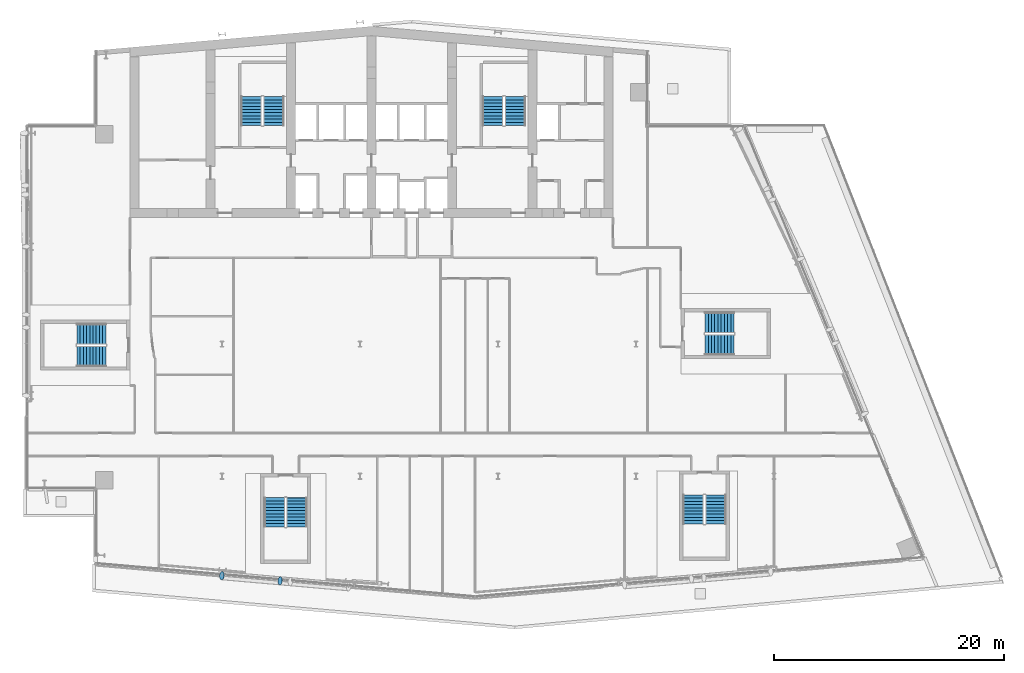
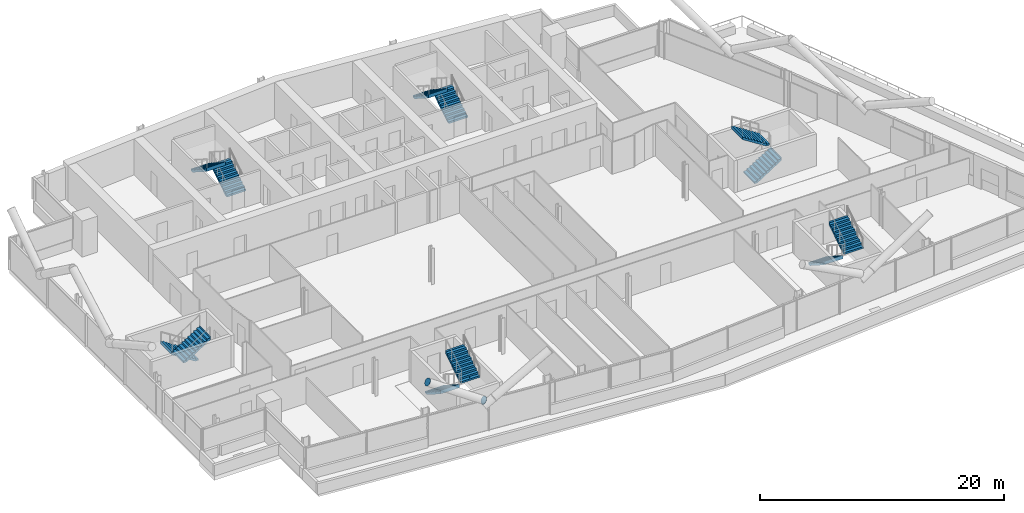
# One storey, part 23 of 30: 12 stair flights, 2 discrete accessories, 6 elements without a shape of their own.
"""IFC4 building model written with IfcOpenShell, lengths in metres."""

from ifc_helpers import new_model, si_unit, direction, frame, origin, origin_2d, place, context, subcontext, project, spatial, polyline, circle, outline, extrude, material, material_profile, profile_set, type_object, element, aggregate, save


model = new_model("IFC4")

# Units and contexts
model_context = context("Model", 3, precision=1e-05, world=origin(), true_north=direction((0.0, 1.0)))
body_context = subcontext(model_context, "Body", "Model", "MODEL_VIEW")
ifc_project = project(units=[si_unit("LENGTHUNIT", "METRE"), si_unit("AREAUNIT", "SQUARE_METRE"), si_unit("VOLUMEUNIT", "CUBIC_METRE"), si_unit("PLANEANGLEUNIT", "RADIAN"), si_unit("MASSUNIT", "GRAM", prefix="KILO")], contexts=[model_context])

# Site, building, storey
site_placement = place(None, origin())
site = spatial("IfcSite", under=ifc_project, at=site_placement, CompositionType="ELEMENT")
building_placement = place(site_placement, origin())
building = spatial("IfcBuilding", under=site, at=building_placement, Name="Wharfspan Tower", CompositionType="ELEMENT")
storey_placement = place(building_placement, frame((0.0, 0.0, 151.899902)))
storey = spatial("IfcBuildingStorey", under=building, at=storey_placement, Name="L36", CompositionType="ELEMENT", Elevation=151.899902)

# Stair, stair flights
ifc_material_1 = material(Name="Concrete C40/50", Category="concrete")
stair_type = type_object("IfcStairType", Name="Half-turn stair 20 risers 180 mm", PredefinedType="HALF_TURN_STAIR", material=ifc_material_1)
stair_1_placement = place(storey_placement, origin())
stair_1 = element("IfcStair", 1, at=stair_1_placement, inside=storey, type_object=stair_type, Name="L36 stair ST1", PredefinedType="HALF_TURN_STAIR")
stair_flight_type = type_object("IfcStairFlightType", Name="Stair flight 20 risers 180 mm", PredefinedType="STRAIGHT", material=ifc_material_1)
stair_flight_1_placement = place(storey_placement, frame((28.5, 42.0, 0.0), z_axis=(0.0, 0.0, 1.0), x_axis=(0.0, 1.0, 0.0)))
stair_flight_1 = element("IfcStairFlight", 2, at=stair_flight_1_placement, type_object=stair_flight_type, Name="ST1 flight 1", NumberOfRisers=10, NumberOfTreads=9, PredefinedType="STRAIGHT", RiserHeight=0.18, TreadLength=0.28, context=body_context, shape_type="SweptSolid", body=[
    extrude(outline(polyline([(-0.011963, 0.0), (-0.011963, 0.179932), (0.0, 0.179932), (0.280029, 0.179932), (0.280029, 0.360107), (0.560059, 0.360107), (0.560059, 0.540039), (0.840088, 0.540039), (0.840088, 0.719971), (1.120117, 0.719971), (1.120117, 0.899902), (1.399902, 0.899902), (1.399902, 1.080078), (1.679932, 1.080078), (1.679932, 1.26001), (1.959961, 1.26001), (1.959961, 1.439941), (2.23999, 1.439941), (2.23999, 1.620117), (2.52002, 1.620117), (2.531982, 1.800049), (2.531982, 1.441895), (0.2771, 0.0), (-0.011963, 0.0)])), frame((0.0, 0.899902, 0.0), z_axis=(0.0, -1.0, 0.0), x_axis=(1.0, 0.0, 0.0)), (0.0, 0.0, 1.0), 0.899414),
    extrude(outline(polyline([(-0.011963, 0.0), (-0.011963, 0.179932), (0.0, 0.179932), (0.280029, 0.179932), (0.280029, 0.360107), (0.560059, 0.360107), (0.560059, 0.540039), (0.840088, 0.540039), (0.840088, 0.719971), (1.120117, 0.719971), (1.120117, 0.899902), (1.399902, 0.899902), (1.399902, 1.080078), (1.679932, 1.080078), (1.679932, 1.26001), (1.959961, 1.26001), (1.959961, 1.439941), (2.23999, 1.439941), (2.23999, 1.620117), (2.52002, 1.620117), (2.531982, 1.800049), (2.531982, 1.441895), (0.2771, 0.0), (-0.011963, 0.0)])), frame((0.0, -0.000488, 0.0), z_axis=(0.0, -1.0, 0.0), x_axis=(1.0, 0.0, 0.0)), (0.0, 0.0, 1.0), 0.899414),
])
stair_flight_2_placement = place(storey_placement, frame((26.550049, 44.52002, 1.800049), z_axis=(0.0, 0.0, 1.0), x_axis=(0.0, -1.0, 0.0)))
stair_flight_2 = element("IfcStairFlight", 3, at=stair_flight_2_placement, type_object=stair_flight_type, Name="ST1 flight 2", NumberOfRisers=10, NumberOfTreads=9, PredefinedType="STRAIGHT", RiserHeight=0.18, TreadLength=0.28, context=body_context, shape_type="SweptSolid", body=[
    extrude(outline(polyline([(-0.011963, 0.0), (-0.011963, 0.179932), (0.0, 0.179932), (0.280029, 0.179932), (0.280029, 0.360107), (0.560059, 0.360107), (0.560059, 0.540039), (0.840088, 0.540039), (0.840088, 0.719971), (1.120117, 0.719971), (1.120117, 0.899902), (1.399902, 0.899902), (1.399902, 1.080078), (1.679932, 1.080078), (1.679932, 1.26001), (1.959961, 1.26001), (1.959961, 1.439941), (2.23999, 1.439941), (2.23999, 1.620117), (2.52002, 1.620117), (2.531982, 1.800049), (2.531982, 1.441895), (0.2771, 0.0), (-0.011963, 0.0)])), frame((0.0, 0.899902, 0.0), z_axis=(0.0, -1.0, 0.0), x_axis=(1.0, 0.0, 0.0)), (0.0, 0.0, 1.0), 0.899414),
    extrude(outline(polyline([(-0.011963, 0.0), (-0.011963, 0.179932), (0.0, 0.179932), (0.280029, 0.179932), (0.280029, 0.360107), (0.560059, 0.360107), (0.560059, 0.540039), (0.840088, 0.540039), (0.840088, 0.719971), (1.120117, 0.719971), (1.120117, 0.899902), (1.399902, 0.899902), (1.399902, 1.080078), (1.679932, 1.080078), (1.679932, 1.26001), (1.959961, 1.26001), (1.959961, 1.439941), (2.23999, 1.439941), (2.23999, 1.620117), (2.52002, 1.620117), (2.531982, 1.800049), (2.531982, 1.441895), (0.2771, 0.0), (-0.011963, 0.0)])), frame((0.0, -0.000488, 0.0), z_axis=(0.0, -1.0, 0.0), x_axis=(1.0, 0.0, 0.0)), (0.0, 0.0, 1.0), 0.899414),
])
aggregate(stair_1, [stair_flight_1, stair_flight_2])

stair_2_placement = place(storey_placement, origin())
stair_2 = element("IfcStair", 4, at=stair_2_placement, inside=storey, type_object=stair_type, Name="L36 stair ST2", PredefinedType="HALF_TURN_STAIR")
stair_flight_3_placement = place(storey_placement, frame((49.5, 42.0, 0.0), z_axis=(0.0, 0.0, 1.0), x_axis=(0.0, 1.0, 0.0)))
stair_flight_3 = element("IfcStairFlight", 5, at=stair_flight_3_placement, type_object=stair_flight_type, Name="ST2 flight 1", NumberOfRisers=10, NumberOfTreads=9, PredefinedType="STRAIGHT", RiserHeight=0.18, TreadLength=0.28, context=body_context, shape_type="SweptSolid", body=[
    extrude(outline(polyline([(-0.011963, 0.0), (-0.011963, 0.179932), (0.0, 0.179932), (0.280029, 0.179932), (0.280029, 0.360107), (0.560059, 0.360107), (0.560059, 0.540039), (0.840088, 0.540039), (0.840088, 0.719971), (1.120117, 0.719971), (1.120117, 0.899902), (1.399902, 0.899902), (1.399902, 1.080078), (1.679932, 1.080078), (1.679932, 1.26001), (1.959961, 1.26001), (1.959961, 1.439941), (2.23999, 1.439941), (2.23999, 1.620117), (2.52002, 1.620117), (2.531982, 1.800049), (2.531982, 1.441895), (0.2771, 0.0), (-0.011963, 0.0)])), frame((0.0, 0.899902, 0.0), z_axis=(0.0, -1.0, 0.0), x_axis=(1.0, 0.0, 0.0)), (0.0, 0.0, 1.0), 0.899414),
    extrude(outline(polyline([(-0.011963, 0.0), (-0.011963, 0.179932), (0.0, 0.179932), (0.280029, 0.179932), (0.280029, 0.360107), (0.560059, 0.360107), (0.560059, 0.540039), (0.840088, 0.540039), (0.840088, 0.719971), (1.120117, 0.719971), (1.120117, 0.899902), (1.399902, 0.899902), (1.399902, 1.080078), (1.679932, 1.080078), (1.679932, 1.26001), (1.959961, 1.26001), (1.959961, 1.439941), (2.23999, 1.439941), (2.23999, 1.620117), (2.52002, 1.620117), (2.531982, 1.800049), (2.531982, 1.441895), (0.2771, 0.0), (-0.011963, 0.0)])), frame((0.0, -0.000488, 0.0), z_axis=(0.0, -1.0, 0.0), x_axis=(1.0, 0.0, 0.0)), (0.0, 0.0, 1.0), 0.899414),
])
stair_flight_4_placement = place(storey_placement, frame((47.550049, 44.52002, 1.800049), z_axis=(0.0, 0.0, 1.0), x_axis=(0.0, -1.0, 0.0)))
stair_flight_4 = element("IfcStairFlight", 6, at=stair_flight_4_placement, type_object=stair_flight_type, Name="ST2 flight 2", NumberOfRisers=10, NumberOfTreads=9, PredefinedType="STRAIGHT", RiserHeight=0.18, TreadLength=0.28, context=body_context, shape_type="SweptSolid", body=[
    extrude(outline(polyline([(-0.011963, 0.0), (-0.011963, 0.179932), (0.0, 0.179932), (0.280029, 0.179932), (0.280029, 0.360107), (0.560059, 0.360107), (0.560059, 0.540039), (0.840088, 0.540039), (0.840088, 0.719971), (1.120117, 0.719971), (1.120117, 0.899902), (1.399902, 0.899902), (1.399902, 1.080078), (1.679932, 1.080078), (1.679932, 1.26001), (1.959961, 1.26001), (1.959961, 1.439941), (2.23999, 1.439941), (2.23999, 1.620117), (2.52002, 1.620117), (2.531982, 1.800049), (2.531982, 1.441895), (0.2771, 0.0), (-0.011963, 0.0)])), frame((0.0, 0.899902, 0.0), z_axis=(0.0, -1.0, 0.0), x_axis=(1.0, 0.0, 0.0)), (0.0, 0.0, 1.0), 0.899414),
    extrude(outline(polyline([(-0.011963, 0.0), (-0.011963, 0.179932), (0.0, 0.179932), (0.280029, 0.179932), (0.280029, 0.360107), (0.560059, 0.360107), (0.560059, 0.540039), (0.840088, 0.540039), (0.840088, 0.719971), (1.120117, 0.719971), (1.120117, 0.899902), (1.399902, 0.899902), (1.399902, 1.080078), (1.679932, 1.080078), (1.679932, 1.26001), (1.959961, 1.26001), (1.959961, 1.439941), (2.23999, 1.439941), (2.23999, 1.620117), (2.52002, 1.620117), (2.531982, 1.800049), (2.531982, 1.441895), (0.2771, 0.0), (-0.011963, 0.0)])), frame((0.0, -0.000488, 0.0), z_axis=(0.0, -1.0, 0.0), x_axis=(1.0, 0.0, 0.0)), (0.0, 0.0, 1.0), 0.899414),
])
aggregate(stair_2, [stair_flight_3, stair_flight_4])

stair_3_placement = place(storey_placement, origin())
stair_3 = element("IfcStair", 7, at=stair_3_placement, inside=storey, type_object=stair_type, Name="L36 stair ST3", PredefinedType="HALF_TURN_STAIR")
stair_flight_5_placement = place(storey_placement, frame((13.899902, 23.875, 0.0), z_axis=(0.0, 0.0, 1.0), x_axis=(-1.0, 0.0, 0.0)))
stair_flight_5 = element("IfcStairFlight", 8, at=stair_flight_5_placement, type_object=stair_flight_type, Name="ST3 flight 1", NumberOfRisers=10, NumberOfTreads=9, PredefinedType="STRAIGHT", RiserHeight=0.18, TreadLength=0.28, context=body_context, shape_type="SweptSolid", body=[
    extrude(outline(polyline([(-0.011963, 0.0), (-0.011963, 0.179932), (0.0, 0.179932), (0.280029, 0.179932), (0.280029, 0.360107), (0.560059, 0.360107), (0.560059, 0.540039), (0.840088, 0.540039), (0.840088, 0.719971), (1.120117, 0.719971), (1.120117, 0.899902), (1.399902, 0.899902), (1.399902, 1.080078), (1.679932, 1.080078), (1.679932, 1.26001), (1.959961, 1.26001), (1.959961, 1.439941), (2.23999, 1.439941), (2.23999, 1.620117), (2.52002, 1.620117), (2.531982, 1.800049), (2.531982, 1.441895), (0.2771, 0.0), (-0.011963, 0.0)])), frame((0.0, 0.899902, 0.0), z_axis=(0.0, -1.0, 0.0), x_axis=(1.0, 0.0, 0.0)), (0.0, 0.0, 1.0), 0.899414),
    extrude(outline(polyline([(-0.011963, 0.0), (-0.011963, 0.179932), (0.0, 0.179932), (0.280029, 0.179932), (0.280029, 0.360107), (0.560059, 0.360107), (0.560059, 0.540039), (0.840088, 0.540039), (0.840088, 0.719971), (1.120117, 0.719971), (1.120117, 0.899902), (1.399902, 0.899902), (1.399902, 1.080078), (1.679932, 1.080078), (1.679932, 1.26001), (1.959961, 1.26001), (1.959961, 1.439941), (2.23999, 1.439941), (2.23999, 1.620117), (2.52002, 1.620117), (2.531982, 1.800049), (2.531982, 1.441895), (0.2771, 0.0), (-0.011963, 0.0)])), frame((0.0, -0.000488, 0.0), z_axis=(0.0, -1.0, 0.0), x_axis=(1.0, 0.0, 0.0)), (0.0, 0.0, 1.0), 0.899414),
])
stair_flight_6_placement = place(storey_placement, frame((11.379883, 21.925049, 1.800049), z_axis=(0.0, 0.0, 1.0), x_axis=(1.0, 0.0, 0.0)))
stair_flight_6 = element("IfcStairFlight", 9, at=stair_flight_6_placement, type_object=stair_flight_type, Name="ST3 flight 2", NumberOfRisers=10, NumberOfTreads=9, PredefinedType="STRAIGHT", RiserHeight=0.18, TreadLength=0.28, context=body_context, shape_type="SweptSolid", body=[
    extrude(outline(polyline([(-0.011963, 0.0), (-0.011963, 0.179932), (0.0, 0.179932), (0.280029, 0.179932), (0.280029, 0.360107), (0.560059, 0.360107), (0.560059, 0.540039), (0.840088, 0.540039), (0.840088, 0.719971), (1.120117, 0.719971), (1.120117, 0.899902), (1.399902, 0.899902), (1.399902, 1.080078), (1.679932, 1.080078), (1.679932, 1.26001), (1.959961, 1.26001), (1.959961, 1.439941), (2.23999, 1.439941), (2.23999, 1.620117), (2.52002, 1.620117), (2.531982, 1.800049), (2.531982, 1.441895), (0.2771, 0.0), (-0.011963, 0.0)])), frame((0.0, 0.899902, 0.0), z_axis=(0.0, -1.0, 0.0), x_axis=(1.0, 0.0, 0.0)), (0.0, 0.0, 1.0), 0.899414),
    extrude(outline(polyline([(-0.011963, 0.0), (-0.011963, 0.179932), (0.0, 0.179932), (0.280029, 0.179932), (0.280029, 0.360107), (0.560059, 0.360107), (0.560059, 0.540039), (0.840088, 0.540039), (0.840088, 0.719971), (1.120117, 0.719971), (1.120117, 0.899902), (1.399902, 0.899902), (1.399902, 1.080078), (1.679932, 1.080078), (1.679932, 1.26001), (1.959961, 1.26001), (1.959961, 1.439941), (2.23999, 1.439941), (2.23999, 1.620117), (2.52002, 1.620117), (2.531982, 1.800049), (2.531982, 1.441895), (0.2771, 0.0), (-0.011963, 0.0)])), frame((0.0, -0.000488, 0.0), z_axis=(0.0, -1.0, 0.0), x_axis=(1.0, 0.0, 0.0)), (0.0, 0.0, 1.0), 0.899414),
])
aggregate(stair_3, [stair_flight_5, stair_flight_6])

stair_4_placement = place(storey_placement, origin())
stair_4 = element("IfcStair", 10, at=stair_4_placement, inside=storey, type_object=stair_type, Name="L36 stair ST4", PredefinedType="HALF_TURN_STAIR")
stair_flight_7_placement = place(storey_placement, frame((28.564209, 9.634277, 0.0), z_axis=(0.0, 0.0, 1.0), x_axis=(0.0, -1.0, 0.0)))
stair_flight_7 = element("IfcStairFlight", 11, at=stair_flight_7_placement, type_object=stair_flight_type, Name="ST4 flight 1", NumberOfRisers=10, NumberOfTreads=9, PredefinedType="STRAIGHT", RiserHeight=0.18, TreadLength=0.28, context=body_context, shape_type="SweptSolid", body=[
    extrude(outline(polyline([(-0.011963, 0.0), (-0.011963, 0.179932), (0.0, 0.179932), (0.280029, 0.179932), (0.280029, 0.360107), (0.560059, 0.360107), (0.560059, 0.540039), (0.840088, 0.540039), (0.840088, 0.719971), (1.120117, 0.719971), (1.120117, 0.899902), (1.399902, 0.899902), (1.399902, 1.080078), (1.679932, 1.080078), (1.679932, 1.26001), (1.959961, 1.26001), (1.959961, 1.439941), (2.23999, 1.439941), (2.23999, 1.620117), (2.52002, 1.620117), (2.531982, 1.800049), (2.531982, 1.441895), (0.2771, 0.0), (-0.011963, 0.0)])), frame((0.0, 0.899902, 0.0), z_axis=(0.0, -1.0, 0.0), x_axis=(1.0, 0.0, 0.0)), (0.0, 0.0, 1.0), 0.899414),
    extrude(outline(polyline([(-0.011963, 0.0), (-0.011963, 0.179932), (0.0, 0.179932), (0.280029, 0.179932), (0.280029, 0.360107), (0.560059, 0.360107), (0.560059, 0.540039), (0.840088, 0.540039), (0.840088, 0.719971), (1.120117, 0.719971), (1.120117, 0.899902), (1.399902, 0.899902), (1.399902, 1.080078), (1.679932, 1.080078), (1.679932, 1.26001), (1.959961, 1.26001), (1.959961, 1.439941), (2.23999, 1.439941), (2.23999, 1.620117), (2.52002, 1.620117), (2.531982, 1.800049), (2.531982, 1.441895), (0.2771, 0.0), (-0.011963, 0.0)])), frame((0.0, -0.000488, 0.0), z_axis=(0.0, -1.0, 0.0), x_axis=(1.0, 0.0, 0.0)), (0.0, 0.0, 1.0), 0.899414),
])
stair_flight_8_placement = place(storey_placement, frame((30.51416, 7.114258, 1.800049), z_axis=(0.0, 0.0, 1.0), x_axis=(0.0, 1.0, 0.0)))
stair_flight_8 = element("IfcStairFlight", 12, at=stair_flight_8_placement, type_object=stair_flight_type, Name="ST4 flight 2", NumberOfRisers=10, NumberOfTreads=9, PredefinedType="STRAIGHT", RiserHeight=0.18, TreadLength=0.28, context=body_context, shape_type="SweptSolid", body=[
    extrude(outline(polyline([(-0.011963, 0.0), (-0.011963, 0.179932), (0.0, 0.179932), (0.280029, 0.179932), (0.280029, 0.360107), (0.560059, 0.360107), (0.560059, 0.540039), (0.840088, 0.540039), (0.840088, 0.719971), (1.120117, 0.719971), (1.120117, 0.899902), (1.399902, 0.899902), (1.399902, 1.080078), (1.679932, 1.080078), (1.679932, 1.26001), (1.959961, 1.26001), (1.959961, 1.439941), (2.23999, 1.439941), (2.23999, 1.620117), (2.52002, 1.620117), (2.531982, 1.800049), (2.531982, 1.441895), (0.2771, 0.0), (-0.011963, 0.0)])), frame((0.0, 0.899902, 0.0), z_axis=(0.0, -1.0, 0.0), x_axis=(1.0, 0.0, 0.0)), (0.0, 0.0, 1.0), 0.899414),
    extrude(outline(polyline([(-0.011963, 0.0), (-0.011963, 0.179932), (0.0, 0.179932), (0.280029, 0.179932), (0.280029, 0.360107), (0.560059, 0.360107), (0.560059, 0.540039), (0.840088, 0.540039), (0.840088, 0.719971), (1.120117, 0.719971), (1.120117, 0.899902), (1.399902, 0.899902), (1.399902, 1.080078), (1.679932, 1.080078), (1.679932, 1.26001), (1.959961, 1.26001), (1.959961, 1.439941), (2.23999, 1.439941), (2.23999, 1.620117), (2.52002, 1.620117), (2.531982, 1.800049), (2.531982, 1.441895), (0.2771, 0.0), (-0.011963, 0.0)])), frame((0.0, -0.000488, 0.0), z_axis=(0.0, -1.0, 0.0), x_axis=(1.0, 0.0, 0.0)), (0.0, 0.0, 1.0), 0.899414),
])
aggregate(stair_4, [stair_flight_7, stair_flight_8])

stair_5_placement = place(storey_placement, origin())
stair_5 = element("IfcStair", 13, at=stair_5_placement, inside=storey, type_object=stair_type, Name="L36 stair ST5", PredefinedType="HALF_TURN_STAIR")
stair_flight_9_placement = place(storey_placement, frame((64.986328, 9.883789, 0.0), z_axis=(0.0, 0.0, 1.0), x_axis=(0.0, -1.0, 0.0)))
stair_flight_9 = element("IfcStairFlight", 14, at=stair_flight_9_placement, type_object=stair_flight_type, Name="ST5 flight 1", NumberOfRisers=10, NumberOfTreads=9, PredefinedType="STRAIGHT", RiserHeight=0.18, TreadLength=0.28, context=body_context, shape_type="SweptSolid", body=[
    extrude(outline(polyline([(-0.011963, 0.0), (-0.011963, 0.179932), (0.0, 0.179932), (0.280029, 0.179932), (0.280029, 0.360107), (0.560059, 0.360107), (0.560059, 0.540039), (0.840088, 0.540039), (0.840088, 0.719971), (1.120117, 0.719971), (1.120117, 0.899902), (1.399902, 0.899902), (1.399902, 1.080078), (1.679932, 1.080078), (1.679932, 1.26001), (1.959961, 1.26001), (1.959961, 1.439941), (2.23999, 1.439941), (2.23999, 1.620117), (2.52002, 1.620117), (2.531982, 1.800049), (2.531982, 1.441895), (0.2771, 0.0), (-0.011963, 0.0)])), frame((0.0, 0.899902, 0.0), z_axis=(0.0, -1.0, 0.0), x_axis=(1.0, 0.0, 0.0)), (0.0, 0.0, 1.0), 0.899414),
    extrude(outline(polyline([(-0.011963, 0.0), (-0.011963, 0.179932), (0.0, 0.179932), (0.280029, 0.179932), (0.280029, 0.360107), (0.560059, 0.360107), (0.560059, 0.540039), (0.840088, 0.540039), (0.840088, 0.719971), (1.120117, 0.719971), (1.120117, 0.899902), (1.399902, 0.899902), (1.399902, 1.080078), (1.679932, 1.080078), (1.679932, 1.26001), (1.959961, 1.26001), (1.959961, 1.439941), (2.23999, 1.439941), (2.23999, 1.620117), (2.52002, 1.620117), (2.531982, 1.800049), (2.531982, 1.441895), (0.2771, 0.0), (-0.011963, 0.0)])), frame((0.0, -0.000488, 0.0), z_axis=(0.0, -1.0, 0.0), x_axis=(1.0, 0.0, 0.0)), (0.0, 0.0, 1.0), 0.899414),
])
stair_flight_10_placement = place(storey_placement, frame((66.936279, 7.36377, 1.800049), z_axis=(0.0, 0.0, 1.0), x_axis=(0.0, 1.0, 0.0)))
stair_flight_10 = element("IfcStairFlight", 15, at=stair_flight_10_placement, type_object=stair_flight_type, Name="ST5 flight 2", NumberOfRisers=10, NumberOfTreads=9, PredefinedType="STRAIGHT", RiserHeight=0.18, TreadLength=0.28, context=body_context, shape_type="SweptSolid", body=[
    extrude(outline(polyline([(-0.011963, 0.0), (-0.011963, 0.179932), (0.0, 0.179932), (0.280029, 0.179932), (0.280029, 0.360107), (0.560059, 0.360107), (0.560059, 0.540039), (0.840088, 0.540039), (0.840088, 0.719971), (1.120117, 0.719971), (1.120117, 0.899902), (1.399902, 0.899902), (1.399902, 1.080078), (1.679932, 1.080078), (1.679932, 1.26001), (1.959961, 1.26001), (1.959961, 1.439941), (2.23999, 1.439941), (2.23999, 1.620117), (2.52002, 1.620117), (2.531982, 1.800049), (2.531982, 1.441895), (0.2771, 0.0), (-0.011963, 0.0)])), frame((0.0, 0.899902, 0.0), z_axis=(0.0, -1.0, 0.0), x_axis=(1.0, 0.0, 0.0)), (0.0, 0.0, 1.0), 0.899414),
    extrude(outline(polyline([(-0.011963, 0.0), (-0.011963, 0.179932), (0.0, 0.179932), (0.280029, 0.179932), (0.280029, 0.360107), (0.560059, 0.360107), (0.560059, 0.540039), (0.840088, 0.540039), (0.840088, 0.719971), (1.120117, 0.719971), (1.120117, 0.899902), (1.399902, 0.899902), (1.399902, 1.080078), (1.679932, 1.080078), (1.679932, 1.26001), (1.959961, 1.26001), (1.959961, 1.439941), (2.23999, 1.439941), (2.23999, 1.620117), (2.52002, 1.620117), (2.531982, 1.800049), (2.531982, 1.441895), (0.2771, 0.0), (-0.011963, 0.0)])), frame((0.0, -0.000488, 0.0), z_axis=(0.0, -1.0, 0.0), x_axis=(1.0, 0.0, 0.0)), (0.0, 0.0, 1.0), 0.899414),
])
aggregate(stair_5, [stair_flight_9, stair_flight_10])

stair_6_placement = place(storey_placement, origin())
stair_6 = element("IfcStair", 16, at=stair_6_placement, inside=storey, type_object=stair_type, Name="L36 stair ST6", PredefinedType="HALF_TURN_STAIR")
stair_flight_11_placement = place(storey_placement, frame((66.004639, 22.925049, 0.0), z_axis=(0.0, 0.0, 1.0), x_axis=(1.0, 0.0, 0.0)))
stair_flight_11 = element("IfcStairFlight", 17, at=stair_flight_11_placement, type_object=stair_flight_type, Name="ST6 flight 1", NumberOfRisers=10, NumberOfTreads=9, PredefinedType="STRAIGHT", RiserHeight=0.18, TreadLength=0.28, context=body_context, shape_type="SweptSolid", body=[
    extrude(outline(polyline([(-0.011963, 0.0), (-0.011963, 0.179932), (0.0, 0.179932), (0.280029, 0.179932), (0.280029, 0.360107), (0.560059, 0.360107), (0.560059, 0.540039), (0.840088, 0.540039), (0.840088, 0.719971), (1.120117, 0.719971), (1.120117, 0.899902), (1.399902, 0.899902), (1.399902, 1.080078), (1.679932, 1.080078), (1.679932, 1.26001), (1.959961, 1.26001), (1.959961, 1.439941), (2.23999, 1.439941), (2.23999, 1.620117), (2.52002, 1.620117), (2.531982, 1.800049), (2.531982, 1.441895), (0.2771, 0.0), (-0.011963, 0.0)])), frame((0.0, 0.899902, 0.0), z_axis=(0.0, -1.0, 0.0), x_axis=(1.0, 0.0, 0.0)), (0.0, 0.0, 1.0), 0.899414),
    extrude(outline(polyline([(-0.011963, 0.0), (-0.011963, 0.179932), (0.0, 0.179932), (0.280029, 0.179932), (0.280029, 0.360107), (0.560059, 0.360107), (0.560059, 0.540039), (0.840088, 0.540039), (0.840088, 0.719971), (1.120117, 0.719971), (1.120117, 0.899902), (1.399902, 0.899902), (1.399902, 1.080078), (1.679932, 1.080078), (1.679932, 1.26001), (1.959961, 1.26001), (1.959961, 1.439941), (2.23999, 1.439941), (2.23999, 1.620117), (2.52002, 1.620117), (2.531982, 1.800049), (2.531982, 1.441895), (0.2771, 0.0), (-0.011963, 0.0)])), frame((0.0, -0.000488, 0.0), z_axis=(0.0, -1.0, 0.0), x_axis=(1.0, 0.0, 0.0)), (0.0, 0.0, 1.0), 0.899414),
])
stair_flight_12_placement = place(storey_placement, frame((68.524658, 24.875, 1.800049), z_axis=(0.0, 0.0, 1.0), x_axis=(-1.0, 0.0, 0.0)))
stair_flight_12 = element("IfcStairFlight", 18, at=stair_flight_12_placement, type_object=stair_flight_type, Name="ST6 flight 2", NumberOfRisers=10, NumberOfTreads=9, PredefinedType="STRAIGHT", RiserHeight=0.18, TreadLength=0.28, context=body_context, shape_type="SweptSolid", body=[
    extrude(outline(polyline([(-0.011963, 0.0), (-0.011963, 0.179932), (0.0, 0.179932), (0.280029, 0.179932), (0.280029, 0.360107), (0.560059, 0.360107), (0.560059, 0.540039), (0.840088, 0.540039), (0.840088, 0.719971), (1.120117, 0.719971), (1.120117, 0.899902), (1.399902, 0.899902), (1.399902, 1.080078), (1.679932, 1.080078), (1.679932, 1.26001), (1.959961, 1.26001), (1.959961, 1.439941), (2.23999, 1.439941), (2.23999, 1.620117), (2.52002, 1.620117), (2.531982, 1.800049), (2.531982, 1.441895), (0.2771, 0.0), (-0.011963, 0.0)])), frame((0.0, 0.899902, 0.0), z_axis=(0.0, -1.0, 0.0), x_axis=(1.0, 0.0, 0.0)), (0.0, 0.0, 1.0), 0.899414),
    extrude(outline(polyline([(-0.011963, 0.0), (-0.011963, 0.179932), (0.0, 0.179932), (0.280029, 0.179932), (0.280029, 0.360107), (0.560059, 0.360107), (0.560059, 0.540039), (0.840088, 0.540039), (0.840088, 0.719971), (1.120117, 0.719971), (1.120117, 0.899902), (1.399902, 0.899902), (1.399902, 1.080078), (1.679932, 1.080078), (1.679932, 1.26001), (1.959961, 1.26001), (1.959961, 1.439941), (2.23999, 1.439941), (2.23999, 1.620117), (2.52002, 1.620117), (2.531982, 1.800049), (2.531982, 1.441895), (0.2771, 0.0), (-0.011963, 0.0)])), frame((0.0, -0.000488, 0.0), z_axis=(0.0, -1.0, 0.0), x_axis=(1.0, 0.0, 0.0)), (0.0, 0.0, 1.0), 0.899414),
])
aggregate(stair_6, [stair_flight_11, stair_flight_12])

# Discrete accessories
ifc_material_2 = material(Name="Steel S460NH", Category="steel")
ifc_material_profile = material_profile(ifc_material_2, circle(Radius=0.355469, at=origin_2d()))
ifc_profile_set = profile_set([ifc_material_profile], Name="Steel S460NH")
discrete_accessory_type = type_object("IfcDiscreteAccessoryType", Name="End plate CHS 711x36", PredefinedType="BRACKET", material=ifc_profile_set)
for number, where, z_axis, x_axis, name in (
    (19, (29.051758, 2.415527, 3.19043), (-0.844416, 0.072379, 0.530776), (-0.085402, -0.99635, 0.0), "End plate CHS 711x36"),
    (20, (23.995117, 2.85791, 6.5), (-0.82608, 0.072889, 0.558819), (-0.087894, -0.99613, -1e-06), "End plate CHS 711x36"),
):
    element("IfcDiscreteAccessory", number, at=place(storey_placement, frame(where, z_axis=z_axis, x_axis=x_axis)), inside=storey, type_object=discrete_accessory_type, Name=name, PredefinedType="BRACKET", context=body_context, shape_type="SweptSolid", body=[
        extrude(circle(Radius=0.355469, at=origin_2d()), origin(), (0.0, 0.0, 1.0), 0.01001),
    ])

save(model, "model.ifc")
